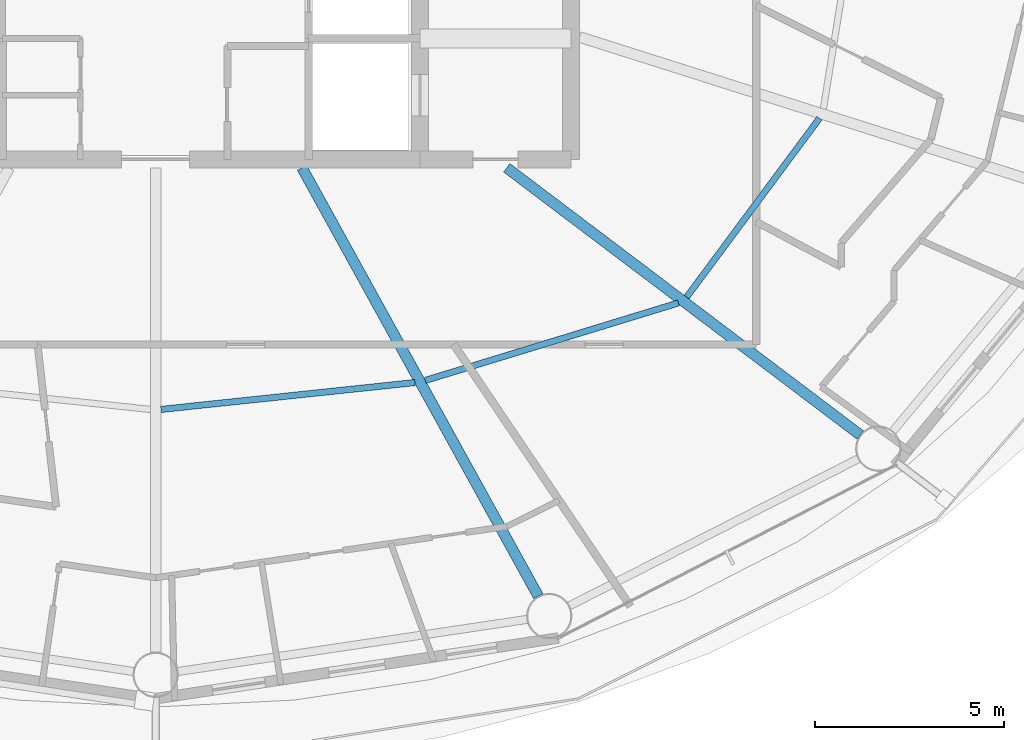
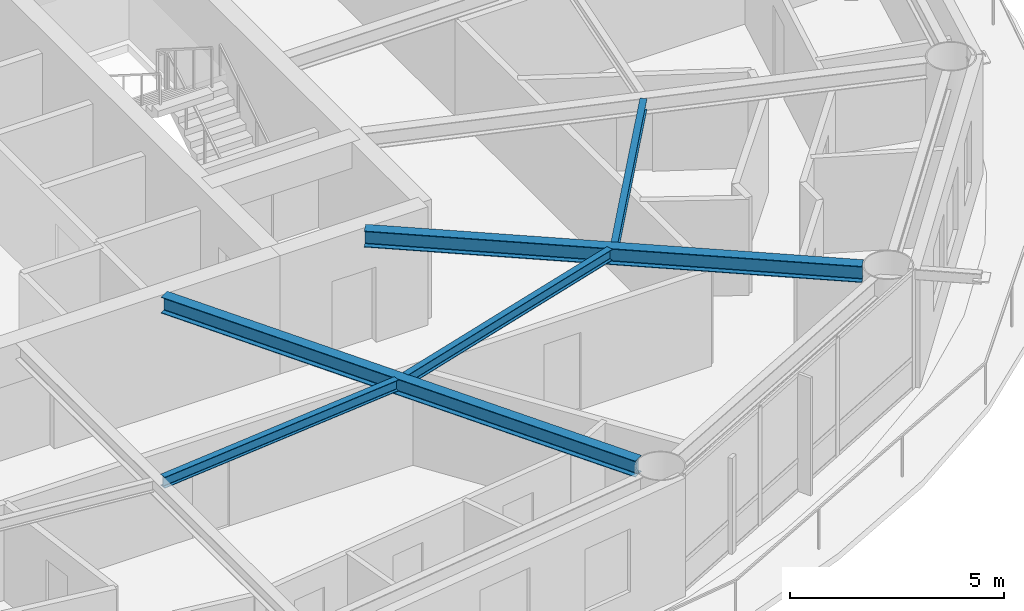
# One storey, part 6 of 28: 5 beams.
"""IFC4 building model written with IfcOpenShell, lengths in metres."""

from ifc_helpers import new_model, si_unit, direction, frame, origin, origin_2d, place, context, subcontext, project, spatial, i_section, extrude, material, material_profile, profile_set, type_object, element, save


model = new_model("IFC4")

# Units and contexts
model_context = context("Model", 3, precision=1e-05, world=origin(), true_north=direction((0.0, 1.0)))
body_context = subcontext(model_context, "Body", "Model", "MODEL_VIEW")
ifc_project = project(units=[si_unit("LENGTHUNIT", "METRE"), si_unit("AREAUNIT", "SQUARE_METRE"), si_unit("VOLUMEUNIT", "CUBIC_METRE"), si_unit("PLANEANGLEUNIT", "RADIAN"), si_unit("MASSUNIT", "GRAM", prefix="KILO")], contexts=[model_context])

# Site, building, storey
site_placement = place(None, origin())
site = spatial("IfcSite", under=ifc_project, at=site_placement, CompositionType="ELEMENT")
building_placement = place(site_placement, origin())
building = spatial("IfcBuilding", under=site, at=building_placement, Name="Sarneth Arch Tower", CompositionType="ELEMENT")
storey_placement = place(building_placement, frame((0.0, 0.0, 179.39990234375)))
storey = spatial("IfcBuildingStorey", under=building, at=storey_placement, Name="L45", CompositionType="ELEMENT", Elevation=179.39990234375)

# Beams
ifc_material_1 = material(Name="Steel S355", Category="steel")
ifc_material_profile_1 = material_profile(ifc_material_1, i_section(OverallWidth=0.1669921875, OverallDepth=0.31689453125, WebThickness=0.007568359375, FlangeThickness=0.01318359375, FilletRadius=0.012939453125, at=origin_2d()), Name="W310x52")
ifc_profile_set_1 = profile_set([ifc_material_profile_1], Name="Steel S355")
beam_type_1 = type_object("IfcBeamType", Name="BM-JOIST-310B", PredefinedType="JOIST", material=ifc_profile_set_1)
beam_1_placement = place(storey_placement, frame((48.13916015625, 28.5771484375, 3.2216796875), z_axis=(0.994447340543, 0.105235387994, 0.0), x_axis=(-0.105235387994, 0.994447340543, 0.0)))
element("IfcBeam", 1, at=beam_1_placement, inside=storey, type_object=beam_type_1, Name="L45 Secondary floor joist 13", PredefinedType="JOIST", context=body_context, shape_type="SweptSolid", body=[
    extrude(i_section(OverallWidth=0.1669921875, OverallDepth=0.31689453125, WebThickness=0.007568359375, FlangeThickness=0.01318359375, FilletRadius=0.012939453125, at=origin_2d()), origin(), (0.0, 0.0, 1.0), 6.7626953125),
])
beam_2_placement = place(storey_placement, frame((55.137451171875, 29.344482421875, 3.2216796875), z_axis=(0.956178669891, 0.292783796076, 0.0), x_axis=(-0.292783796076, 0.956178669891, 0.0)))
element("IfcBeam", 2, at=beam_2_placement, inside=storey, type_object=beam_type_1, Name="L45 Secondary floor joist 14", PredefinedType="JOIST", context=body_context, shape_type="SweptSolid", body=[
    extrude(i_section(OverallWidth=0.1669921875, OverallDepth=0.31689453125, WebThickness=0.007568359375, FlangeThickness=0.01318359375, FilletRadius=0.012939453125, at=origin_2d()), origin(), (0.0, 0.0, 1.0), 7.010986328125),
])
beam_3_placement = place(storey_placement, frame((62.058837890625, 31.550537109375, 3.2216796875), z_axis=(0.596190586674, 0.802842938788, 0.0), x_axis=(-0.802842938788, 0.596190586674, 0.0)))
element("IfcBeam", 3, at=beam_3_placement, inside=storey, type_object=beam_type_1, Name="L45 Secondary floor joist 15", PredefinedType="JOIST", context=body_context, shape_type="SweptSolid", body=[
    extrude(i_section(OverallWidth=0.1669921875, OverallDepth=0.31689453125, WebThickness=0.007568359375, FlangeThickness=0.01318359375, FilletRadius=0.012939453125, at=origin_2d()), origin(), (0.0, 0.0, 1.0), 5.896484375),
])
ifc_material_2 = material(Name="Steel S355", Category="steel")
ifc_material_profile_2 = material_profile(ifc_material_2, i_section(OverallWidth=0.280029296875, OverallDepth=0.462890625, WebThickness=0.0107421875, FlangeThickness=0.017333984375, FilletRadius=0.01806640625, at=origin_2d()), Name="W460x113")
ifc_profile_set_2 = profile_set([ifc_material_profile_2], Name="Steel S355")
beam_type_2 = type_object("IfcBeamType", Name="BM-RAD-460A", PredefinedType="BEAM", material=ifc_profile_set_2)
beam_4_placement = place(storey_placement, frame((51.875, 34.97509765625, 3.148681640625), z_axis=(0.483010082599, -0.875614789795, 0.0), x_axis=(0.875614789795, 0.483010082599, 0.0)))
element("IfcBeam", 4, at=beam_4_placement, inside=storey, type_object=beam_type_2, Name="L45 Radial floor girder 14", PredefinedType="BEAM", context=body_context, shape_type="SweptSolid", body=[
    extrude(i_section(OverallWidth=0.280029296875, OverallDepth=0.462890625, WebThickness=0.0107421875, FlangeThickness=0.017333984375, FilletRadius=0.01806640625, at=origin_2d()), origin(), (0.0, 0.0, 1.0), 12.954345703125),
])
beam_5_placement = place(storey_placement, frame((57.29541015625, 34.97509765625, 3.148681640625), z_axis=(0.797784574467, -0.602942594898, 0.0), x_axis=(0.602942594898, 0.797784574467, 0.0)))
element("IfcBeam", 5, at=beam_5_placement, inside=storey, type_object=beam_type_2, Name="L45 Radial floor girder 15", PredefinedType="BEAM", context=body_context, shape_type="SweptSolid", body=[
    extrude(i_section(OverallWidth=0.280029296875, OverallDepth=0.462890625, WebThickness=0.0107421875, FlangeThickness=0.017333984375, FilletRadius=0.01806640625, at=origin_2d()), origin(), (0.0, 0.0, 1.0), 11.73193359375),
])

save(model, "model.ifc")
